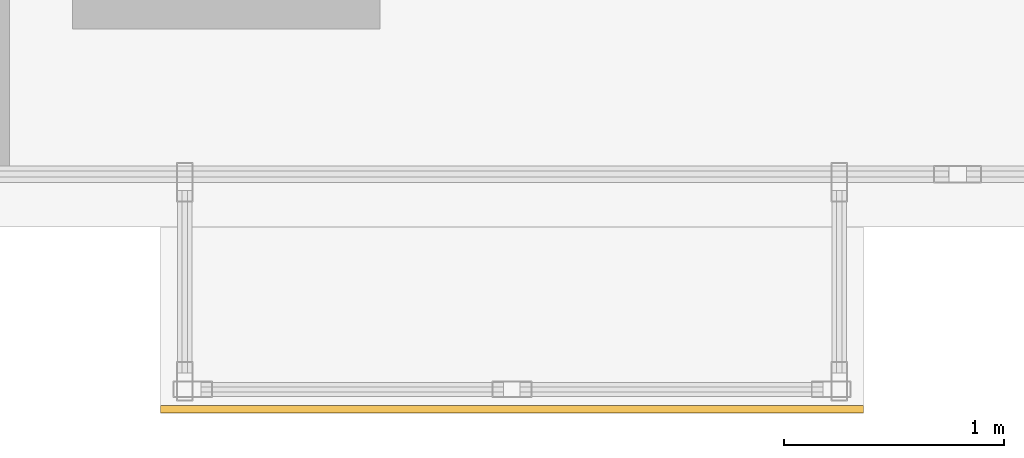
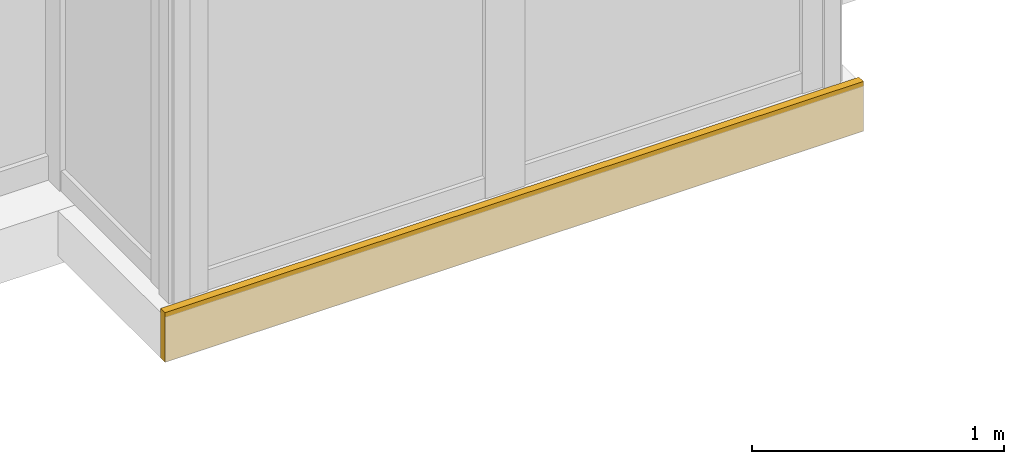
# One storey, part 27 of 28: 1 covering.
"""IFC4 building model written with IfcOpenShell, lengths in metres."""

from ifc_helpers import new_model, si_unit, direction, frame, origin, origin_2d, place, context, subcontext, project, spatial, rectangle, extrude, material, layer, layer_set, type_object, element, save


model = new_model("IFC4")

# Units and contexts
model_context = context("Model", 3, precision=1e-05, world=origin(), true_north=direction((0.0, 1.0)))
body_context = subcontext(model_context, "Body", "Model", "MODEL_VIEW")
ifc_project = project(units=[si_unit("LENGTHUNIT", "METRE"), si_unit("AREAUNIT", "SQUARE_METRE"), si_unit("VOLUMEUNIT", "CUBIC_METRE"), si_unit("PLANEANGLEUNIT", "RADIAN"), si_unit("MASSUNIT", "GRAM", prefix="KILO")], contexts=[model_context])

# Site, building, storey
site_placement = place(None, origin())
site = spatial("IfcSite", under=ifc_project, at=site_placement, CompositionType="ELEMENT")
building_placement = place(site_placement, origin())
building = spatial("IfcBuilding", under=site, at=building_placement, Name="Kolvaren Waterfront Exchange", CompositionType="ELEMENT")
storey_placement = place(building_placement, frame((0.0, 0.0, 133.5)))
storey = spatial("IfcBuildingStorey", under=building, at=storey_placement, Name="L34", CompositionType="ELEMENT", Elevation=133.5)

# Covering
ifc_material = material(Name="Anodised bronze fascia aluminium", Category="aluminium")
ifc_layer = layer(ifc_material, 0.034912109375, Name="Anodised bronze fascia aluminium")
ifc_layer_set = layer_set([ifc_layer], Name="Anodised bronze fascia aluminium")
covering_type = type_object("IfcCoveringType", Name="ARC-CLAD-BRONZE-35", PredefinedType="CLADDING", material=ifc_layer_set)
covering_placement = place(storey_placement, frame((38.10009765625, 2.77001953125, -0.22021484375), z_axis=(0.0, 0.0, 1.0), x_axis=(1.0, 0.0, 0.0)))
element("IfcCovering", 1, at=covering_placement, inside=storey, type_object=covering_type, Name="L34 ribbed anodised bronze bay-box fascia", PredefinedType="CLADDING", context=body_context, shape_type="SweptSolid", body=[
    extrude(rectangle(XDim=3.199951171875, YDim=0.034912109375, at=origin_2d()), origin(), (0.0, 0.0, 1.0), 0.239990234375),
])

save(model, "model.ifc")
